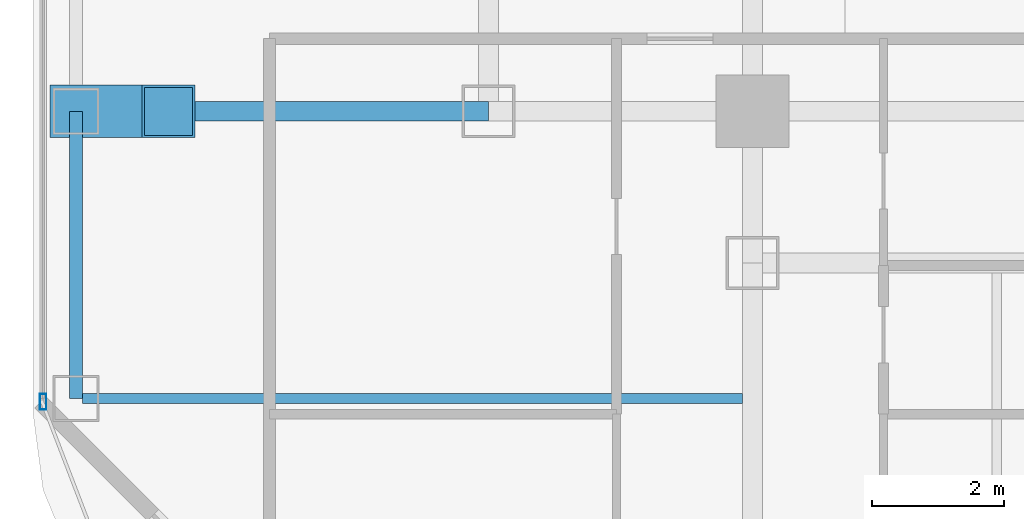
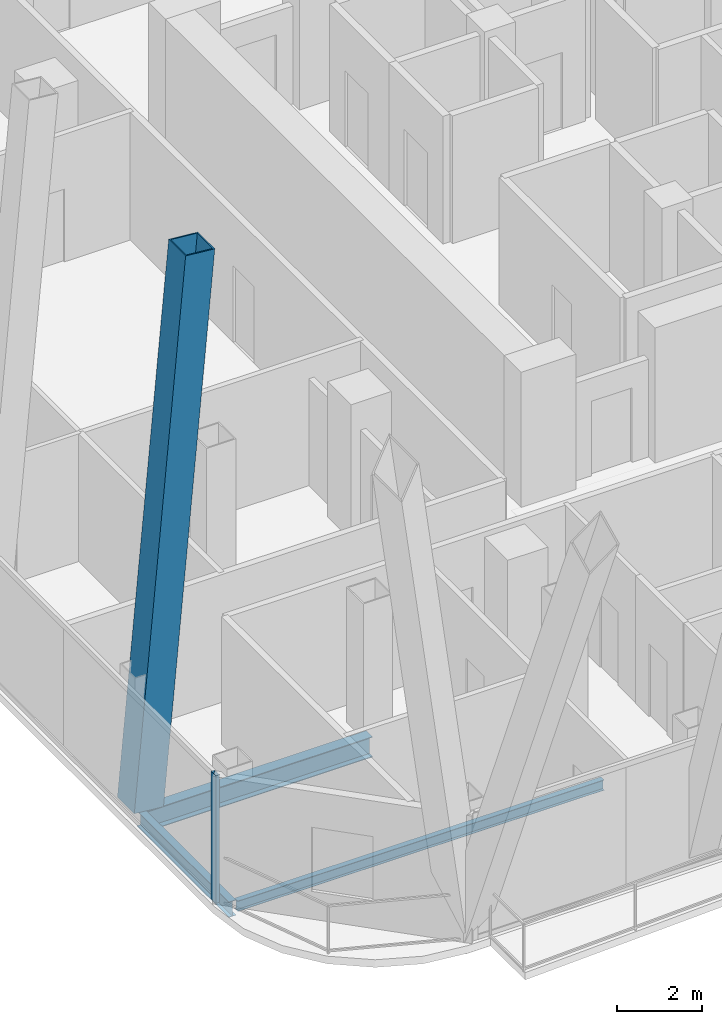
# One storey, part 4 of 34: 3 beams, 2 members, 1 element without a shape of its own.
"""IFC4 building model written with IfcOpenShell, lengths in metres."""

from ifc_helpers import new_model, si_unit, direction, frame, origin, origin_2d, place, context, subcontext, project, spatial, hollow_rectangle, i_section, extrude, material, layer, layer_set, material_profile, profile_set, type_object, element, aggregate, save


model = new_model("IFC4")

# Units and contexts
model_context = context("Model", 3, precision=1e-05, world=origin(), true_north=direction((0.0, 1.0)))
body_context = subcontext(model_context, "Body", "Model", "MODEL_VIEW")
ifc_project = project(units=[si_unit("LENGTHUNIT", "METRE"), si_unit("AREAUNIT", "SQUARE_METRE"), si_unit("VOLUMEUNIT", "CUBIC_METRE"), si_unit("PLANEANGLEUNIT", "RADIAN"), si_unit("MASSUNIT", "GRAM", prefix="KILO")], contexts=[model_context])

# Site, building, storey
site_placement = place(None, origin())
site = spatial("IfcSite", under=ifc_project, at=site_placement, CompositionType="ELEMENT")
building_placement = place(site_placement, origin())
building = spatial("IfcBuilding", under=site, at=building_placement, Name="Khorvyn Point Tower", CompositionType="ELEMENT")
storey_placement = place(building_placement, frame((0.0, 0.0, 175.800048828125)))
storey = spatial("IfcBuildingStorey", under=building, at=storey_placement, Name="L43", CompositionType="ELEMENT", Elevation=175.800048828125)

# Curtain wall, member
ifc_material_1 = material(Name="Anodised aluminium 6063-T6 and laminated Low-E glass", Category="aluminium")
ifc_layer = layer(ifc_material_1, 0.18994140625)
ifc_layer_set = layer_set([ifc_layer], Name="Stick-Built Acoustic Curtain Wall CW-SYS-03")
curtain_wall_type = type_object("IfcCurtainWallType", Name="Stick-Built Acoustic Curtain Wall CW-SYS-03", PredefinedType="NOTDEFINED", material=ifc_layer_set)
curtain_wall_placement = place(storey_placement, origin())
curtain_wall = element("IfcCurtainWall", 1, at=curtain_wall_placement, inside=storey, type_object=curtain_wall_type, Name="Curtain Wall", PredefinedType="NOTDEFINED")
ifc_material_2 = material(Name="Anodised aluminium 6063-T6", Category="aluminium")
ifc_material_profile_1 = material_profile(ifc_material_2, hollow_rectangle(XDim=0.10009765625, YDim=0.239990234375, WallThickness=0.0048828125, at=origin_2d()))
ifc_profile_set_1 = profile_set([ifc_material_profile_1], Name="Anodised aluminium 6063-T6 ALU-MUL-100x240")
member_type_1 = type_object("IfcMemberType", Name="Anodised Aluminium 6063-T6 Mullion ALU-MUL-100x240", PredefinedType="MULLION", material=ifc_profile_set_1)
member_1_placement = place(storey_placement, frame((-25.550048828125, -19.199951171875, 0.0), z_axis=(0.0, 0.0, 1.0), x_axis=(-1.0, 0.0, 0.0)))
member_1 = element("IfcMember", 2, at=member_1_placement, type_object=member_type_1, Name="Transom", PredefinedType="MULLION", context=body_context, shape_type="SweptSolid", body=[
    extrude(hollow_rectangle(XDim=0.10009765625, YDim=0.239990234375, WallThickness=0.0048828125, at=origin_2d()), origin(), (0.0, 0.0, 1.0), 3.679931640625),
])
aggregate(curtain_wall, [member_1])

# Beams
ifc_material_3 = material(Name="Steel S355", Category="steel")
ifc_material_profile_2 = material_profile(ifc_material_3, i_section(OverallWidth=0.300048828125, OverallDepth=0.587890625, WebThickness=0.011962890625, FlangeThickness=0.02001953125, at=origin_2d()))
ifc_profile_set_2 = profile_set([ifc_material_profile_2], Name="Steel S355 H588x300x12x20")
beam_type_1 = type_object("IfcBeamType", Name="Steel S355 Beam H588x300x12x20", PredefinedType="BEAM", material=ifc_profile_set_2)
beam_1_placement = place(storey_placement, frame((-25.050048828125, -14.800048828125, -0.51416015625), z_axis=(1.0, 0.0, 0.0), x_axis=(0.0, 1.0, 0.0)))
element("IfcBeam", 3, at=beam_1_placement, inside=storey, type_object=beam_type_1, Name="Beam", PredefinedType="BEAM", context=body_context, shape_type="SweptSolid", body=[
    extrude(i_section(OverallWidth=0.300048828125, OverallDepth=0.587890625, WebThickness=0.011962890625, FlangeThickness=0.02001953125, at=origin_2d()), origin(), (0.0, 0.0, 1.0), 6.25),
])
ifc_material_profile_3 = material_profile(ifc_material_3, i_section(OverallWidth=0.14990234375, OverallDepth=0.300048828125, WebThickness=0.006591796875, FlangeThickness=0.009033203125, at=origin_2d()))
ifc_profile_set_3 = profile_set([ifc_material_profile_3], Name="Steel S355 H300x150x6.5x9")
beam_type_2 = type_object("IfcBeamType", Name="Steel S355 Joist H300x150x6.5x9", PredefinedType="JOIST", material=ifc_profile_set_3)
beam_2_placement = place(storey_placement, frame((-24.949951171875, -19.14990234375, -0.3701171875), z_axis=(1.0, 0.0, 0.0), x_axis=(0.0, 1.0, 0.0)))
element("IfcBeam", 4, at=beam_2_placement, inside=storey, type_object=beam_type_2, Name="Beam", PredefinedType="JOIST", context=body_context, shape_type="SweptSolid", body=[
    extrude(i_section(OverallWidth=0.14990234375, OverallDepth=0.300048828125, WebThickness=0.006591796875, FlangeThickness=0.009033203125, at=origin_2d()), origin(), (0.0, 0.0, 1.0), 10.0),
])
ifc_material_profile_4 = material_profile(ifc_material_3, i_section(OverallWidth=0.199951171875, OverallDepth=0.449951171875, WebThickness=0.009033203125, FlangeThickness=0.013916015625, at=origin_2d()))
ifc_profile_set_4 = profile_set([ifc_material_profile_4], Name="Steel S355 H450x200x9x14")
beam_type_3 = type_object("IfcBeamType", Name="Steel S355 Spandrel H450x200x9x14", PredefinedType="SPANDREL", material=ifc_profile_set_4)
beam_3_placement = place(storey_placement, frame((-25.050048828125, -19.14990234375, -0.445068359375), z_axis=(0.0, 1.0, 0.0), x_axis=(-1.0, 0.0, 0.0)))
element("IfcBeam", 5, at=beam_3_placement, inside=storey, type_object=beam_type_3, Name="Beam", PredefinedType="SPANDREL", context=body_context, shape_type="SweptSolid", body=[
    extrude(i_section(OverallWidth=0.199951171875, OverallDepth=0.449951171875, WebThickness=0.009033203125, FlangeThickness=0.013916015625, at=origin_2d()), origin(), (0.0, 0.0, 1.0), 4.349853515625),
])

# Member
ifc_material_4 = material(Name="Steel S450", Category="steel")
ifc_material_profile_5 = material_profile(ifc_material_4, hollow_rectangle(XDim=0.800048828125, YDim=0.800048828125, WallThickness=0.035888671875, at=origin_2d()))
ifc_profile_set_5 = profile_set([ifc_material_profile_5], Name="Steel S450 BOX800x800x36")
member_type_2 = type_object("IfcMemberType", Name="Steel S450 Exoskeleton Structural Post BOX800x800x36", PredefinedType="POST", material=ifc_profile_set_5)
member_2_placement = place(storey_placement, frame((-25.050048828125, -14.800048828125, 0.0), z_axis=(0.089394475098, 0.0, 0.995996299101), x_axis=(0.0, 1.0, 0.0)))
element("IfcMember", 6, at=member_2_placement, inside=storey, type_object=member_type_2, Name="L43 to L47 Exoskeleton Transfer Post 10", PredefinedType="POST", context=body_context, shape_type="SweptSolid", body=[
    extrude(hollow_rectangle(XDim=0.800048828125, YDim=0.800048828125, WallThickness=0.035888671875, at=origin_2d()), origin(), (0.0, 0.0, 1.0), 15.66259765625),
])

save(model, "model.ifc")
